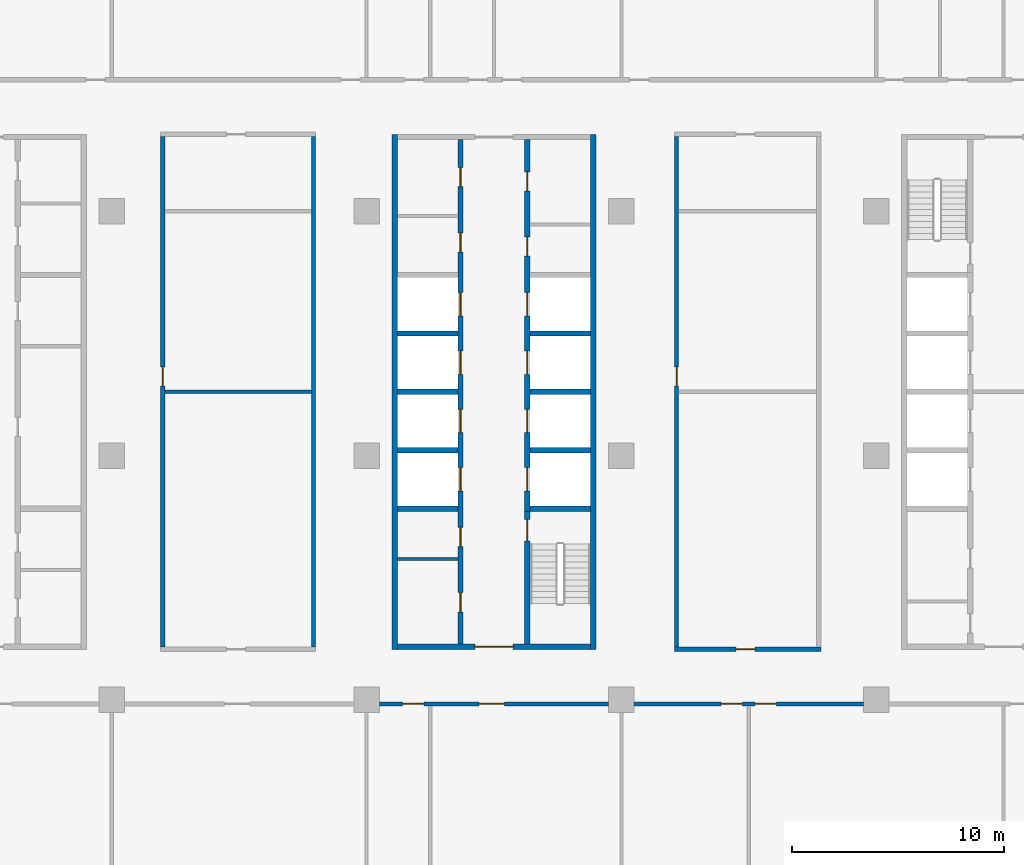
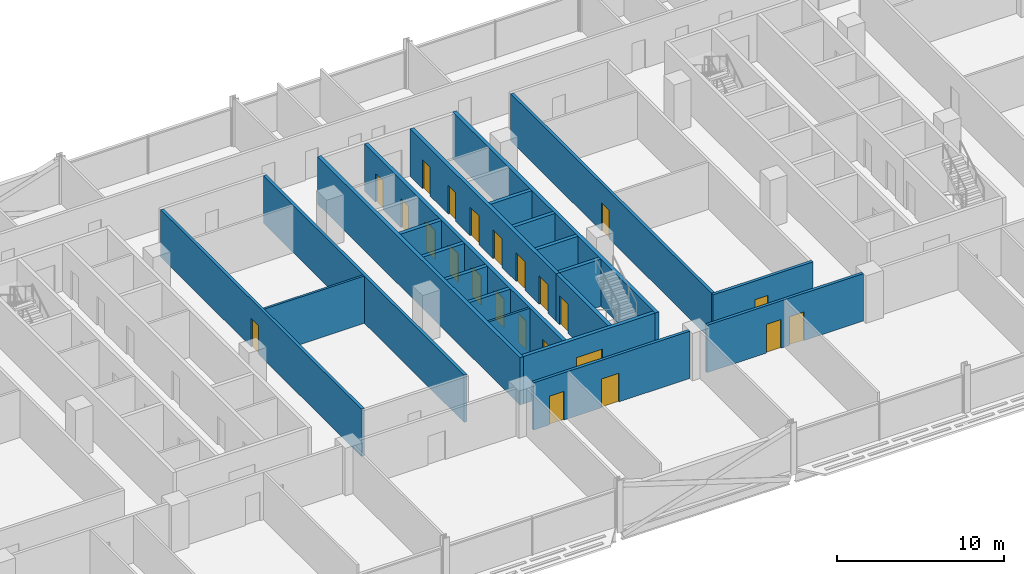
# One storey, part 12 of 27: 23 doors, 22 walls, 23 openings.
"""IFC4 building model written with IfcOpenShell, lengths in metres."""

from ifc_helpers import new_model, si_unit, direction, frame, frame_2d, origin, place, context, subcontext, project, spatial, rectangle, extrude, material, layer, layer_set, type_object, element, fill, save


model = new_model("IFC4")

# Units and contexts
model_context = context("Model", 3, precision=1e-05, world=origin(), true_north=direction((0.0, 1.0)))
body_context = subcontext(model_context, "Body", "Model", "MODEL_VIEW")
ifc_project = project(units=[si_unit("LENGTHUNIT", "METRE"), si_unit("AREAUNIT", "SQUARE_METRE"), si_unit("VOLUMEUNIT", "CUBIC_METRE"), si_unit("PLANEANGLEUNIT", "RADIAN"), si_unit("MASSUNIT", "GRAM", prefix="KILO")], contexts=[model_context])

# Site, building, storey
site_placement = place(None, origin())
site = spatial("IfcSite", under=ifc_project, at=site_placement, CompositionType="ELEMENT")
building_placement = place(site_placement, origin())
building = spatial("IfcBuilding", under=site, at=building_placement, Name="Mahtab Terrace Research Tower", CompositionType="ELEMENT")
storey_placement = place(building_placement, frame((0.0, 0.0, 170.60009765625)))
storey = spatial("IfcBuildingStorey", under=building, at=storey_placement, Name="L40", CompositionType="ELEMENT", Elevation=170.60009765625)

# Walls
ifc_material_1 = material(Name="Gypsum board partition")
ifc_layer_1 = layer(ifc_material_1, 0.14990234375)
ifc_layer_set_1 = layer_set([ifc_layer_1], Name="Core partition 150")
wall_type_1 = type_object("IfcWallType", Name="Core partition 150", PredefinedType="PARTITIONING", material=ifc_layer_set_1)
wall_1_placement = place(storey_placement, frame((-4.550048828125, -4.875, 0.0), z_axis=(0.0, 0.0, 1.0), x_axis=(1.0, 0.0, 0.0)))
element("IfcWall", 1, at=wall_1_placement, inside=storey, type_object=wall_type_1, Name="Core wall B pWS-788", PredefinedType="PARTITIONING", context=body_context, shape_type="SweptSolid", body=[
    extrude(rectangle(XDim=2.85009765625, YDim=0.14990234375, at=frame_2d((1.425048828125, 0.0))), origin(), (0.0, 0.0, 1.0), 3.4599609375),
])
ifc_material_2 = material(Name="Concrete C70/85", Category="concrete")
ifc_layer_2 = layer(ifc_material_2, 0.25)
ifc_layer_set_2 = layer_set([ifc_layer_2], Name="Core wall 250")
wall_type_2 = type_object("IfcWallType", Name="Core wall 250", PredefinedType="SOLIDWALL", material=ifc_layer_set_2)
for number, where, z_axis, x_axis, name in (
    (2, (-4.675048828125, 15.125, 0.0), (0.0, 0.0, 1.0), (0.0, -1.0, 0.0), "Core wall B outerW"),
    (3, (4.675048828125, -9.125, 0.0), (0.0, 0.0, 1.0), (0.0, 1.0, 0.0), "Core wall B outerE"),
):
    element("IfcWall", number, at=place(storey_placement, frame(where, z_axis=z_axis, x_axis=x_axis)), inside=storey, type_object=wall_type_2, Name=name, PredefinedType="SOLIDWALL", context=body_context, shape_type="SweptSolid", body=[
        extrude(rectangle(XDim=24.25, YDim=0.25, at=frame_2d((12.125, 0.0))), origin(), (0.0, 0.0, 1.0), 3.4599609375),
    ])

# Wall, opening, door
wall_2_placement = place(storey_placement, frame((4.550048828125, -9.0, 0.0), z_axis=(0.0, 0.0, 1.0), x_axis=(-1.0, 0.0, 0.0)))
wall_2 = element("IfcWall", 4, at=wall_2_placement, inside=storey, type_object=wall_type_2, Name="Core wall B endS", PredefinedType="SOLIDWALL", context=body_context, shape_type="SweptSolid", body=[
    extrude(rectangle(XDim=9.10009765625, YDim=0.25, at=frame_2d((4.550048828125, 0.0))), origin(), (0.0, 0.0, 1.0), 3.4599609375),
])
opening_1_placement = place(wall_2_placement, frame((3.64990234375, 0.0, 0.0)))
opening_1 = element("IfcOpeningElement", 5, at=opening_1_placement, cuts=wall_2, Name="Opening B-S1", PredefinedType="OPENING", context=body_context, shape_type="SweptSolid", body=[
    extrude(rectangle(XDim=1.800048828125, YDim=2.10009765625, at=frame_2d((0.89990234375, 1.050048828125))), frame((0.0, 0.135009765625, 0.0), z_axis=(0.0, -1.0, 0.0), x_axis=(1.0, 0.0, 0.0)), (0.0, 0.0, 1.0), 0.27001953125),
])
ifc_material_3 = material(Name="Steel fire door", Category="steel")
door_type_1 = type_object("IfcDoorType", Name="Lobby double door 1800x2100 1 HR", OperationType="DOUBLE_DOOR_SINGLE_SWING", PredefinedType="DOOR", material=ifc_material_3)
door_1_placement = place(opening_1_placement, origin())
door_1 = element("IfcDoor", 6, at=door_1_placement, inside=storey, type_object=door_type_1, Name="Core entrance door B S", OperationType="DOUBLE_DOOR_SINGLE_SWING", OverallHeight=2.10009765625, OverallWidth=1.800048828125, PredefinedType="DOOR", context=body_context, shape_type="SweptSolid", body=[
    extrude(rectangle(XDim=1.800048828125, YDim=2.10009765625, at=frame_2d((0.89990234375, 1.050048828125))), frame((0.0, 0.02490234375, 0.0), z_axis=(0.0, -1.0, 0.0), x_axis=(1.0, 0.0, 0.0)), (0.0, 0.0, 1.0), 0.050048828125),
])
fill(opening_1, door_1)

# Wall, openings, doors
wall_3_placement = place(storey_placement, frame((-1.574951171875, -8.875, 0.0), z_axis=(0.0, 0.0, 1.0), x_axis=(0.0, 1.0, 0.0)))
wall_3 = element("IfcWall", 7, at=wall_3_placement, inside=storey, type_object=wall_type_2, Name="Core wall B innerWSLN", PredefinedType="SOLIDWALL", context=body_context, shape_type="SweptSolid", body=[
    extrude(rectangle(XDim=23.75, YDim=0.25, at=frame_2d((11.875, 0.0))), origin(), (0.0, 0.0, 1.0), 3.4599609375),
])
opening_2_placement = place(wall_3_placement, frame((7.199951171875, 0.0, 0.0)))
opening_2 = element("IfcOpeningElement", 8, at=opening_2_placement, cuts=wall_3, Name="Opening LD09-L40", PredefinedType="OPENING", context=body_context, shape_type="SweptSolid", body=[
    extrude(rectangle(XDim=1.10009765625, YDim=2.10009765625, at=frame_2d((0.550048828125, 1.050048828125))), frame((0.0, 0.135009765625, 0.0), z_axis=(0.0, -1.0, 0.0), x_axis=(1.0, 0.0, 0.0)), (0.0, 0.0, 1.0), 0.27001953125),
])
opening_3_placement = place(wall_3_placement, frame((9.949951171875, 0.0, 0.0)))
opening_3 = element("IfcOpeningElement", 9, at=opening_3_placement, cuts=wall_3, Name="Opening LD10-L40", PredefinedType="OPENING", context=body_context, shape_type="SweptSolid", body=[
    extrude(rectangle(XDim=1.10009765625, YDim=2.10009765625, at=frame_2d((0.550048828125, 1.050048828125))), frame((0.0, 0.135009765625, 0.0), z_axis=(0.0, -1.0, 0.0), x_axis=(1.0, 0.0, 0.0)), (0.0, 0.0, 1.0), 0.27001953125),
])
opening_4_placement = place(wall_3_placement, frame((12.699951171875, 0.0, 0.0)))
opening_4 = element("IfcOpeningElement", 10, at=opening_4_placement, cuts=wall_3, Name="Opening LD11-L40", PredefinedType="OPENING", context=body_context, shape_type="SweptSolid", body=[
    extrude(rectangle(XDim=1.10009765625, YDim=2.10009765625, at=frame_2d((0.550048828125, 1.050048828125))), frame((0.0, 0.135009765625, 0.0), z_axis=(0.0, -1.0, 0.0), x_axis=(1.0, 0.0, 0.0)), (0.0, 0.0, 1.0), 0.27001953125),
])
opening_5_placement = place(wall_3_placement, frame((15.449951171875, 0.0, 0.0)))
opening_5 = element("IfcOpeningElement", 11, at=opening_5_placement, cuts=wall_3, Name="Opening LD12-L40", PredefinedType="OPENING", context=body_context, shape_type="SweptSolid", body=[
    extrude(rectangle(XDim=1.10009765625, YDim=2.10009765625, at=frame_2d((0.550048828125, 1.050048828125))), frame((0.0, 0.135009765625, 0.0), z_axis=(0.0, -1.0, 0.0), x_axis=(1.0, 0.0, 0.0)), (0.0, 0.0, 1.0), 0.27001953125),
])
opening_6_placement = place(wall_3_placement, frame((1.512451171875, 0.0, 0.0)))
opening_6 = element("IfcOpeningElement", 12, at=opening_6_placement, cuts=wall_3, Name="Opening B-R1", PredefinedType="OPENING", context=body_context, shape_type="SweptSolid", body=[
    extrude(rectangle(XDim=0.89990234375, YDim=2.10009765625, at=frame_2d((0.449951171875, 1.050048828125))), frame((0.0, 0.135009765625, 0.0), z_axis=(0.0, -1.0, 0.0), x_axis=(1.0, 0.0, 0.0)), (0.0, 0.0, 1.0), 0.27001953125),
])
opening_7_placement = place(wall_3_placement, frame((4.58740234375, 0.0, 0.0)))
opening_7 = element("IfcOpeningElement", 13, at=opening_7_placement, cuts=wall_3, Name="Opening B-R2", PredefinedType="OPENING", context=body_context, shape_type="SweptSolid", body=[
    extrude(rectangle(XDim=0.89990234375, YDim=2.10009765625, at=frame_2d((0.449951171875, 1.050048828125))), frame((0.0, 0.135009765625, 0.0), z_axis=(0.0, -1.0, 0.0), x_axis=(1.0, 0.0, 0.0)), (0.0, 0.0, 1.0), 0.27001953125),
])
opening_8_placement = place(wall_3_placement, frame((18.46240234375, 0.0, 0.0)))
opening_8 = element("IfcOpeningElement", 14, at=opening_8_placement, cuts=wall_3, Name="Opening B-R3", PredefinedType="OPENING", context=body_context, shape_type="SweptSolid", body=[
    extrude(rectangle(XDim=0.89990234375, YDim=2.10009765625, at=frame_2d((0.449951171875, 1.050048828125))), frame((0.0, 0.135009765625, 0.0), z_axis=(0.0, -1.0, 0.0), x_axis=(1.0, 0.0, 0.0)), (0.0, 0.0, 1.0), 0.27001953125),
])
opening_9_placement = place(wall_3_placement, frame((21.53759765625, 0.0, 0.0)))
opening_9 = element("IfcOpeningElement", 15, at=opening_9_placement, cuts=wall_3, Name="Opening B-R4", PredefinedType="OPENING", context=body_context, shape_type="SweptSolid", body=[
    extrude(rectangle(XDim=0.89990234375, YDim=2.10009765625, at=frame_2d((0.449951171875, 1.050048828125))), frame((0.0, 0.135009765625, 0.0), z_axis=(0.0, -1.0, 0.0), x_axis=(1.0, 0.0, 0.0)), (0.0, 0.0, 1.0), 0.27001953125),
])
ifc_material_4 = material(Name="Stainless steel AISI 304", Category="steel")
door_type_2 = type_object("IfcDoorType", Name="Landing door 1100x2100", OperationType="DOUBLE_DOOR_SLIDING", PredefinedType="DOOR", material=ifc_material_4)
door_2_placement = place(opening_2_placement, origin())
door_2 = element("IfcDoor", 16, at=door_2_placement, inside=storey, type_object=door_type_2, Name="Landing door HR1 L40", OperationType="DOUBLE_DOOR_SLIDING", OverallHeight=2.10009765625, OverallWidth=1.10009765625, PredefinedType="DOOR", context=body_context, shape_type="SweptSolid", body=[
    extrude(rectangle(XDim=1.10009765625, YDim=2.10009765625, at=frame_2d((0.550048828125, 1.050048828125))), frame((0.0, 0.02490234375, 0.0), z_axis=(0.0, -1.0, 0.0), x_axis=(1.0, 0.0, 0.0)), (0.0, 0.0, 1.0), 0.050048828125),
])
fill(opening_2, door_2)
door_3_placement = place(opening_3_placement, origin())
door_3 = element("IfcDoor", 17, at=door_3_placement, inside=storey, type_object=door_type_2, Name="Landing door HR2 L40", OperationType="DOUBLE_DOOR_SLIDING", OverallHeight=2.10009765625, OverallWidth=1.10009765625, PredefinedType="DOOR", context=body_context, shape_type="SweptSolid", body=[
    extrude(rectangle(XDim=1.10009765625, YDim=2.10009765625, at=frame_2d((0.550048828125, 1.050048828125))), frame((0.0, 0.02490234375, 0.0), z_axis=(0.0, -1.0, 0.0), x_axis=(1.0, 0.0, 0.0)), (0.0, 0.0, 1.0), 0.050048828125),
])
fill(opening_3, door_3)
door_4_placement = place(opening_4_placement, origin())
door_4 = element("IfcDoor", 18, at=door_4_placement, inside=storey, type_object=door_type_2, Name="Landing door HR3 L40", OperationType="DOUBLE_DOOR_SLIDING", OverallHeight=2.10009765625, OverallWidth=1.10009765625, PredefinedType="DOOR", context=body_context, shape_type="SweptSolid", body=[
    extrude(rectangle(XDim=1.10009765625, YDim=2.10009765625, at=frame_2d((0.550048828125, 1.050048828125))), frame((0.0, 0.02490234375, 0.0), z_axis=(0.0, -1.0, 0.0), x_axis=(1.0, 0.0, 0.0)), (0.0, 0.0, 1.0), 0.050048828125),
])
fill(opening_4, door_4)
door_5_placement = place(opening_5_placement, origin())
door_5 = element("IfcDoor", 19, at=door_5_placement, inside=storey, type_object=door_type_2, Name="Landing door HR4 L40", OperationType="DOUBLE_DOOR_SLIDING", OverallHeight=2.10009765625, OverallWidth=1.10009765625, PredefinedType="DOOR", context=body_context, shape_type="SweptSolid", body=[
    extrude(rectangle(XDim=1.10009765625, YDim=2.10009765625, at=frame_2d((0.550048828125, 1.050048828125))), frame((0.0, 0.02490234375, 0.0), z_axis=(0.0, -1.0, 0.0), x_axis=(1.0, 0.0, 0.0)), (0.0, 0.0, 1.0), 0.050048828125),
])
fill(opening_5, door_5)
door_type_3 = type_object("IfcDoorType", Name="Room door 900x2100 1 HR", OperationType="NOTDEFINED", PredefinedType="DOOR", material=ifc_material_3)
door_6_placement = place(opening_6_placement, origin())
door_6 = element("IfcDoor", 20, at=door_6_placement, inside=storey, type_object=door_type_3, Name="IT equipment room door", OperationType="SINGLE_SWING_LEFT", OverallHeight=2.10009765625, OverallWidth=0.89990234375, PredefinedType="DOOR", context=body_context, shape_type="SweptSolid", body=[
    extrude(rectangle(XDim=0.89990234375, YDim=2.10009765625, at=frame_2d((0.449951171875, 1.050048828125))), frame((0.0, 0.02490234375, 0.0), z_axis=(0.0, -1.0, 0.0), x_axis=(1.0, 0.0, 0.0)), (0.0, 0.0, 1.0), 0.050048828125),
])
fill(opening_6, door_6)
door_7_placement = place(opening_7_placement, origin())
door_7 = element("IfcDoor", 21, at=door_7_placement, inside=storey, type_object=door_type_3, Name="Electrical riser room door", OperationType="SINGLE_SWING_RIGHT", OverallHeight=2.10009765625, OverallWidth=0.89990234375, PredefinedType="DOOR", context=body_context, shape_type="SweptSolid", body=[
    extrude(rectangle(XDim=0.89990234375, YDim=2.10009765625, at=frame_2d((0.449951171875, 1.050048828125))), frame((0.0, 0.02490234375, 0.0), z_axis=(0.0, -1.0, 0.0), x_axis=(1.0, 0.0, 0.0)), (0.0, 0.0, 1.0), 0.050048828125),
])
fill(opening_7, door_7)
door_8_placement = place(opening_8_placement, origin())
door_8 = element("IfcDoor", 22, at=door_8_placement, inside=storey, type_object=door_type_3, Name="Mechanical riser room door", OperationType="SINGLE_SWING_LEFT", OverallHeight=2.10009765625, OverallWidth=0.89990234375, PredefinedType="DOOR", context=body_context, shape_type="SweptSolid", body=[
    extrude(rectangle(XDim=0.89990234375, YDim=2.10009765625, at=frame_2d((0.449951171875, 1.050048828125))), frame((0.0, 0.02490234375, 0.0), z_axis=(0.0, -1.0, 0.0), x_axis=(1.0, 0.0, 0.0)), (0.0, 0.0, 1.0), 0.050048828125),
])
fill(opening_8, door_8)
door_9_placement = place(opening_9_placement, origin())
door_9 = element("IfcDoor", 23, at=door_9_placement, inside=storey, type_object=door_type_3, Name="Chemical store door", OperationType="SINGLE_SWING_RIGHT", OverallHeight=2.10009765625, OverallWidth=0.89990234375, PredefinedType="DOOR", context=body_context, shape_type="SweptSolid", body=[
    extrude(rectangle(XDim=0.89990234375, YDim=2.10009765625, at=frame_2d((0.449951171875, 1.050048828125))), frame((0.0, 0.02490234375, 0.0), z_axis=(0.0, -1.0, 0.0), x_axis=(1.0, 0.0, 0.0)), (0.0, 0.0, 1.0), 0.050048828125),
])
fill(opening_9, door_9)

# Wall, opening, door
wall_4_placement = place(storey_placement, frame((1.574951171875, -8.875, 0.0), z_axis=(0.0, 0.0, 1.0), x_axis=(0.0, 1.0, 0.0)))
wall_4 = element("IfcWall", 24, at=wall_4_placement, inside=storey, type_object=wall_type_2, Name="Core wall B innerES", PredefinedType="SOLIDWALL", context=body_context, shape_type="SweptSolid", body=[
    extrude(rectangle(XDim=6.25, YDim=0.25, at=frame_2d((3.125, 0.0))), origin(), (0.0, 0.0, 1.0), 3.4599609375),
])
opening_10_placement = place(wall_4_placement, frame((4.85009765625, 0.0, 0.0)))
opening_10 = element("IfcOpeningElement", 25, at=opening_10_placement, cuts=wall_4, Name="Opening B-ST2", PredefinedType="OPENING", context=body_context, shape_type="SweptSolid", body=[
    extrude(rectangle(XDim=1.0, YDim=2.10009765625, at=frame_2d((0.5, 1.050048828125))), frame((0.0, 0.135009765625, 0.0), z_axis=(0.0, -1.0, 0.0), x_axis=(1.0, 0.0, 0.0)), (0.0, 0.0, 1.0), 0.27001953125),
])
door_type_4 = type_object("IfcDoorType", Name="Stair door 1000x2100 1.5 HR", OperationType="NOTDEFINED", PredefinedType="DOOR", material=ifc_material_3)
door_10_placement = place(opening_10_placement, origin())
door_10 = element("IfcDoor", 26, at=door_10_placement, inside=storey, type_object=door_type_4, Name="Stair door ST2 L40", OperationType="SINGLE_SWING_LEFT", OverallHeight=2.10009765625, OverallWidth=1.0, PredefinedType="DOOR", context=body_context, shape_type="SweptSolid", body=[
    extrude(rectangle(XDim=1.0, YDim=2.10009765625, at=frame_2d((0.5, 1.050048828125))), frame((0.0, 0.02490234375, 0.0), z_axis=(0.0, -1.0, 0.0), x_axis=(1.0, 0.0, 0.0)), (0.0, 0.0, 1.0), 0.050048828125),
])
fill(opening_10, door_10)

# Wall, openings, doors
wall_5_placement = place(storey_placement, frame((1.574951171875, 14.875, 0.0), z_axis=(0.0, 0.0, 1.0), x_axis=(0.0, -1.0, 0.0)))
wall_5 = element("IfcWall", 27, at=wall_5_placement, inside=storey, type_object=wall_type_2, Name="Core wall B innerELN", PredefinedType="SOLIDWALL", context=body_context, shape_type="SweptSolid", body=[
    extrude(rectangle(XDim=17.5, YDim=0.25, at=frame_2d((8.75, 0.0))), origin(), (0.0, 0.0, 1.0), 3.4599609375),
])
opening_11_placement = place(wall_5_placement, frame((15.449951171875, 0.0, 0.0)))
opening_11 = element("IfcOpeningElement", 28, at=opening_11_placement, cuts=wall_5, Name="Opening LD13-L40", PredefinedType="OPENING", context=body_context, shape_type="SweptSolid", body=[
    extrude(rectangle(XDim=1.10009765625, YDim=2.10009765625, at=frame_2d((0.550048828125, 1.050048828125))), frame((0.0, 0.135009765625, 0.0), z_axis=(0.0, -1.0, 0.0), x_axis=(1.0, 0.0, 0.0)), (0.0, 0.0, 1.0), 0.27001953125),
])
opening_12_placement = place(wall_5_placement, frame((12.699951171875, 0.0, 0.0)))
opening_12 = element("IfcOpeningElement", 29, at=opening_12_placement, cuts=wall_5, Name="Opening LD14-L40", PredefinedType="OPENING", context=body_context, shape_type="SweptSolid", body=[
    extrude(rectangle(XDim=1.10009765625, YDim=2.10009765625, at=frame_2d((0.550048828125, 1.050048828125))), frame((0.0, 0.135009765625, 0.0), z_axis=(0.0, -1.0, 0.0), x_axis=(1.0, 0.0, 0.0)), (0.0, 0.0, 1.0), 0.27001953125),
])
opening_13_placement = place(wall_5_placement, frame((9.949951171875, 0.0, 0.0)))
opening_13 = element("IfcOpeningElement", 30, at=opening_13_placement, cuts=wall_5, Name="Opening LD15-L40", PredefinedType="OPENING", context=body_context, shape_type="SweptSolid", body=[
    extrude(rectangle(XDim=1.10009765625, YDim=2.10009765625, at=frame_2d((0.550048828125, 1.050048828125))), frame((0.0, 0.135009765625, 0.0), z_axis=(0.0, -1.0, 0.0), x_axis=(1.0, 0.0, 0.0)), (0.0, 0.0, 1.0), 0.27001953125),
])
opening_14_placement = place(wall_5_placement, frame((7.199951171875, 0.0, 0.0)))
opening_14 = element("IfcOpeningElement", 31, at=opening_14_placement, cuts=wall_5, Name="Opening LD16-L40", PredefinedType="OPENING", context=body_context, shape_type="SweptSolid", body=[
    extrude(rectangle(XDim=1.10009765625, YDim=2.10009765625, at=frame_2d((0.550048828125, 1.050048828125))), frame((0.0, 0.135009765625, 0.0), z_axis=(0.0, -1.0, 0.0), x_axis=(1.0, 0.0, 0.0)), (0.0, 0.0, 1.0), 0.27001953125),
])
opening_15_placement = place(wall_5_placement, frame((4.58740234375, 0.0, 0.0)))
opening_15 = element("IfcOpeningElement", 32, at=opening_15_placement, cuts=wall_5, Name="Opening B-R5", PredefinedType="OPENING", context=body_context, shape_type="SweptSolid", body=[
    extrude(rectangle(XDim=0.89990234375, YDim=2.10009765625, at=frame_2d((0.449951171875, 1.050048828125))), frame((0.0, 0.135009765625, 0.0), z_axis=(0.0, -1.0, 0.0), x_axis=(1.0, 0.0, 0.0)), (0.0, 0.0, 1.0), 0.27001953125),
])
opening_16_placement = place(wall_5_placement, frame((1.512451171875, 0.0, 0.0)))
opening_16 = element("IfcOpeningElement", 33, at=opening_16_placement, cuts=wall_5, Name="Opening B-R6", PredefinedType="OPENING", context=body_context, shape_type="SweptSolid", body=[
    extrude(rectangle(XDim=0.89990234375, YDim=2.10009765625, at=frame_2d((0.449951171875, 1.050048828125))), frame((0.0, 0.135009765625, 0.0), z_axis=(0.0, -1.0, 0.0), x_axis=(1.0, 0.0, 0.0)), (0.0, 0.0, 1.0), 0.27001953125),
])
door_11_placement = place(opening_11_placement, origin())
door_11 = element("IfcDoor", 34, at=door_11_placement, inside=storey, type_object=door_type_2, Name="Landing door HR5 L40", OperationType="DOUBLE_DOOR_SLIDING", OverallHeight=2.10009765625, OverallWidth=1.10009765625, PredefinedType="DOOR", context=body_context, shape_type="SweptSolid", body=[
    extrude(rectangle(XDim=1.10009765625, YDim=2.10009765625, at=frame_2d((0.550048828125, 1.050048828125))), frame((0.0, 0.02490234375, 0.0), z_axis=(0.0, -1.0, 0.0), x_axis=(1.0, 0.0, 0.0)), (0.0, 0.0, 1.0), 0.050048828125),
])
fill(opening_11, door_11)
door_12_placement = place(opening_12_placement, origin())
door_12 = element("IfcDoor", 35, at=door_12_placement, inside=storey, type_object=door_type_2, Name="Landing door HR6 L40", OperationType="DOUBLE_DOOR_SLIDING", OverallHeight=2.10009765625, OverallWidth=1.10009765625, PredefinedType="DOOR", context=body_context, shape_type="SweptSolid", body=[
    extrude(rectangle(XDim=1.10009765625, YDim=2.10009765625, at=frame_2d((0.550048828125, 1.050048828125))), frame((0.0, 0.02490234375, 0.0), z_axis=(0.0, -1.0, 0.0), x_axis=(1.0, 0.0, 0.0)), (0.0, 0.0, 1.0), 0.050048828125),
])
fill(opening_12, door_12)
door_13_placement = place(opening_13_placement, origin())
door_13 = element("IfcDoor", 36, at=door_13_placement, inside=storey, type_object=door_type_2, Name="Landing door HR7 L40", OperationType="DOUBLE_DOOR_SLIDING", OverallHeight=2.10009765625, OverallWidth=1.10009765625, PredefinedType="DOOR", context=body_context, shape_type="SweptSolid", body=[
    extrude(rectangle(XDim=1.10009765625, YDim=2.10009765625, at=frame_2d((0.550048828125, 1.050048828125))), frame((0.0, 0.02490234375, 0.0), z_axis=(0.0, -1.0, 0.0), x_axis=(1.0, 0.0, 0.0)), (0.0, 0.0, 1.0), 0.050048828125),
])
fill(opening_13, door_13)
door_14_placement = place(opening_14_placement, origin())
door_14 = element("IfcDoor", 37, at=door_14_placement, inside=storey, type_object=door_type_2, Name="Landing door HR8 L40", OperationType="DOUBLE_DOOR_SLIDING", OverallHeight=2.10009765625, OverallWidth=1.10009765625, PredefinedType="DOOR", context=body_context, shape_type="SweptSolid", body=[
    extrude(rectangle(XDim=1.10009765625, YDim=2.10009765625, at=frame_2d((0.550048828125, 1.050048828125))), frame((0.0, 0.02490234375, 0.0), z_axis=(0.0, -1.0, 0.0), x_axis=(1.0, 0.0, 0.0)), (0.0, 0.0, 1.0), 0.050048828125),
])
fill(opening_14, door_14)
door_15_placement = place(opening_15_placement, origin())
door_15 = element("IfcDoor", 38, at=door_15_placement, inside=storey, type_object=door_type_3, Name="Accessible WC door", OperationType="SINGLE_SWING_LEFT", OverallHeight=2.10009765625, OverallWidth=0.89990234375, PredefinedType="DOOR", context=body_context, shape_type="SweptSolid", body=[
    extrude(rectangle(XDim=0.89990234375, YDim=2.10009765625, at=frame_2d((0.449951171875, 1.050048828125))), frame((0.0, 0.02490234375, 0.0), z_axis=(0.0, -1.0, 0.0), x_axis=(1.0, 0.0, 0.0)), (0.0, 0.0, 1.0), 0.050048828125),
])
fill(opening_15, door_15)
door_16_placement = place(opening_16_placement, origin())
door_16 = element("IfcDoor", 39, at=door_16_placement, inside=storey, type_object=door_type_3, Name="WC block door", OperationType="SINGLE_SWING_RIGHT", OverallHeight=2.10009765625, OverallWidth=0.89990234375, PredefinedType="DOOR", context=body_context, shape_type="SweptSolid", body=[
    extrude(rectangle(XDim=0.89990234375, YDim=2.10009765625, at=frame_2d((0.449951171875, 1.050048828125))), frame((0.0, 0.02490234375, 0.0), z_axis=(0.0, -1.0, 0.0), x_axis=(1.0, 0.0, 0.0)), (0.0, 0.0, 1.0), 0.050048828125),
])
fill(opening_16, door_16)

# Walls
for number, where, z_axis, x_axis, name in (
    (40, (-4.550048828125, -2.5, 0.0), (0.0, 0.0, 1.0), (1.0, 0.0, 0.0), "Core wall B divW0"),
    (41, (-4.550048828125, 0.25, 0.0), (0.0, 0.0, 1.0), (1.0, 0.0, 0.0), "Core wall B divW1"),
    (42, (-4.550048828125, 3.0, 0.0), (0.0, 0.0, 1.0), (1.0, 0.0, 0.0), "Core wall B divW2"),
    (43, (-4.550048828125, 5.75, 0.0), (0.0, 0.0, 1.0), (1.0, 0.0, 0.0), "Core wall B divW3"),
    (44, (1.699951171875, -2.5, 0.0), (0.0, 0.0, 1.0), (1.0, 0.0, 0.0), "Core wall B divE0"),
    (45, (1.699951171875, 0.25, 0.0), (0.0, 0.0, 1.0), (1.0, 0.0, 0.0), "Core wall B divE1"),
    (46, (1.699951171875, 3.0, 0.0), (0.0, 0.0, 1.0), (1.0, 0.0, 0.0), "Core wall B divE2"),
    (47, (1.699951171875, 5.75, 0.0), (0.0, 0.0, 1.0), (1.0, 0.0, 0.0), "Core wall B divE3"),
):
    element("IfcWall", number, at=place(storey_placement, frame(where, z_axis=z_axis, x_axis=x_axis)), inside=storey, type_object=wall_type_2, Name=name, PredefinedType="SOLIDWALL", context=body_context, shape_type="SweptSolid", body=[
        extrude(rectangle(XDim=2.85009765625, YDim=0.25, at=frame_2d((1.425048828125, 0.0))), origin(), (0.0, 0.0, 1.0), 3.4599609375),
    ])

# Wall, openings, doors
ifc_material_5 = material(Name="Gypsum board corridor wall on steel studs", Category="steel")
ifc_layer_3 = layer(ifc_material_5, 0.199951171875)
ifc_layer_set_3 = layer_set([ifc_layer_3], Name="WALL CORRIDOR 200")
wall_type_3 = type_object("IfcWallType", Name="WALL CORRIDOR 200", PredefinedType="PARTITIONING", material=ifc_layer_set_3)
wall_6_placement = place(storey_placement, frame((-5.39990234375, -11.699951171875, 0.0), z_axis=(0.0, 0.0, 1.0), x_axis=(1.0, 0.0, 0.0)))
wall_6 = element("IfcWall", 48, at=wall_6_placement, inside=storey, type_object=wall_type_3, Name="L40-W005", PredefinedType="PARTITIONING", context=body_context, shape_type="SweptSolid", body=[
    extrude(rectangle(XDim=10.7998046875, YDim=0.199951171875, at=frame_2d((5.39990234375, 0.0))), origin(), (0.0, 0.0, 1.0), 3.4599609375),
])
opening_17_placement = place(wall_6_placement, frame((1.10009765625, 0.0, 0.0)))
opening_17 = element("IfcOpeningElement", 49, at=opening_17_placement, cuts=wall_6, Name="Opening L40-106", PredefinedType="OPENING", context=body_context, shape_type="SweptSolid", body=[
    extrude(rectangle(XDim=1.0, YDim=2.10009765625, at=frame_2d((0.5, 1.050048828125))), frame((0.0, 0.10986328125, 0.0), z_axis=(0.0, -1.0, 0.0), x_axis=(1.0, 0.0, 0.0)), (0.0, 0.0, 1.0), 0.219970703125),
])
opening_18_placement = place(wall_6_placement, frame((4.699951171875, 0.0, 0.0)))
opening_18 = element("IfcOpeningElement", 50, at=opening_18_placement, cuts=wall_6, Name="Opening L40-107", PredefinedType="OPENING", context=body_context, shape_type="SweptSolid", body=[
    extrude(rectangle(XDim=1.199951171875, YDim=2.10009765625, at=frame_2d((0.60009765625, 1.050048828125))), frame((0.0, 0.10986328125, 0.0), z_axis=(0.0, -1.0, 0.0), x_axis=(1.0, 0.0, 0.0)), (0.0, 0.0, 1.0), 0.219970703125),
])
ifc_material_6 = material(Name="Timber door leaf in steel frame", Category="steel")
door_type_5 = type_object("IfcDoorType", Name="DOOR 1000X2100 FD30S", OperationType="SINGLE_SWING_LEFT", PredefinedType="DOOR", material=ifc_material_6)
door_17_placement = place(opening_17_placement, origin())
door_17 = element("IfcDoor", 51, at=door_17_placement, inside=storey, type_object=door_type_5, Name="Door L40-106", OperationType="SINGLE_SWING_RIGHT", OverallHeight=2.10009765625, OverallWidth=1.0, PredefinedType="DOOR", context=body_context, shape_type="SweptSolid", body=[
    extrude(rectangle(XDim=1.0, YDim=2.10009765625, at=frame_2d((0.5, 1.050048828125))), frame((0.0, 0.02490234375, 0.0), z_axis=(0.0, -1.0, 0.0), x_axis=(1.0, 0.0, 0.0)), (0.0, 0.0, 1.0), 0.050048828125),
])
fill(opening_17, door_17)
door_type_6 = type_object("IfcDoorType", Name="DOOR 1200X2100 FD30S", OperationType="SINGLE_SWING_LEFT", PredefinedType="DOOR", material=ifc_material_6)
door_18_placement = place(opening_18_placement, origin())
door_18 = element("IfcDoor", 52, at=door_18_placement, inside=storey, type_object=door_type_6, Name="Door L40-107", OperationType="SINGLE_SWING_RIGHT", OverallHeight=2.10009765625, OverallWidth=1.199951171875, PredefinedType="DOOR", context=body_context, shape_type="SweptSolid", body=[
    extrude(rectangle(XDim=1.199951171875, YDim=2.10009765625, at=frame_2d((0.60009765625, 1.050048828125))), frame((0.0, 0.02490234375, 0.0), z_axis=(0.0, -1.0, 0.0), x_axis=(1.0, 0.0, 0.0)), (0.0, 0.0, 1.0), 0.050048828125),
])
fill(opening_18, door_18)

wall_7_placement = place(storey_placement, frame((6.60009765625, -11.699951171875, 0.0), z_axis=(0.0, 0.0, 1.0), x_axis=(1.0, 0.0, 0.0)))
wall_7 = element("IfcWall", 53, at=wall_7_placement, inside=storey, type_object=wall_type_3, Name="L40-W006", PredefinedType="PARTITIONING", context=body_context, shape_type="SweptSolid", body=[
    extrude(rectangle(XDim=10.7998046875, YDim=0.199951171875, at=frame_2d((5.39990234375, 0.0))), origin(), (0.0, 0.0, 1.0), 3.4599609375),
])
opening_19_placement = place(wall_7_placement, frame((4.10009765625, 0.0, 0.0)))
opening_19 = element("IfcOpeningElement", 54, at=opening_19_placement, cuts=wall_7, Name="Opening L40-108", PredefinedType="OPENING", context=body_context, shape_type="SweptSolid", body=[
    extrude(rectangle(XDim=1.0, YDim=2.10009765625, at=frame_2d((0.5, 1.050048828125))), frame((0.0, 0.10986328125, 0.0), z_axis=(0.0, -1.0, 0.0), x_axis=(1.0, 0.0, 0.0)), (0.0, 0.0, 1.0), 0.219970703125),
])
opening_20_placement = place(wall_7_placement, frame((5.699951171875, 0.0, 0.0)))
opening_20 = element("IfcOpeningElement", 55, at=opening_20_placement, cuts=wall_7, Name="Opening L40-109", PredefinedType="OPENING", context=body_context, shape_type="SweptSolid", body=[
    extrude(rectangle(XDim=1.0, YDim=2.10009765625, at=frame_2d((0.5, 1.050048828125))), frame((0.0, 0.10986328125, 0.0), z_axis=(0.0, -1.0, 0.0), x_axis=(1.0, 0.0, 0.0)), (0.0, 0.0, 1.0), 0.219970703125),
])
door_19_placement = place(opening_19_placement, origin())
door_19 = element("IfcDoor", 56, at=door_19_placement, inside=storey, type_object=door_type_5, Name="Door L40-108", OperationType="SINGLE_SWING_RIGHT", OverallHeight=2.10009765625, OverallWidth=1.0, PredefinedType="DOOR", context=body_context, shape_type="SweptSolid", body=[
    extrude(rectangle(XDim=1.0, YDim=2.10009765625, at=frame_2d((0.5, 1.050048828125))), frame((0.0, 0.02490234375, 0.0), z_axis=(0.0, -1.0, 0.0), x_axis=(1.0, 0.0, 0.0)), (0.0, 0.0, 1.0), 0.050048828125),
])
fill(opening_19, door_19)
door_20_placement = place(opening_20_placement, origin())
door_20 = element("IfcDoor", 57, at=door_20_placement, inside=storey, type_object=door_type_5, Name="Door L40-109", OperationType="SINGLE_SWING_LEFT", OverallHeight=2.10009765625, OverallWidth=1.0, PredefinedType="DOOR", context=body_context, shape_type="SweptSolid", body=[
    extrude(rectangle(XDim=1.0, YDim=2.10009765625, at=frame_2d((0.5, 1.050048828125))), frame((0.0, 0.02490234375, 0.0), z_axis=(0.0, -1.0, 0.0), x_axis=(1.0, 0.0, 0.0)), (0.0, 0.0, 1.0), 0.050048828125),
])
fill(opening_20, door_20)

# Wall, opening, door
wall_8_placement = place(storey_placement, frame((8.5, -9.125, 0.0), z_axis=(0.0, 0.0, 1.0), x_axis=(1.0, 0.0, 0.0)))
wall_8 = element("IfcWall", 58, at=wall_8_placement, inside=storey, type_object=wall_type_3, Name="L40-W012", PredefinedType="PARTITIONING", context=body_context, shape_type="SweptSolid", body=[
    extrude(rectangle(XDim=6.89990234375, YDim=0.199951171875, at=frame_2d((3.449951171875, 0.0))), origin(), (0.0, 0.0, 1.0), 3.4599609375),
])
opening_21_placement = place(wall_8_placement, frame((2.89990234375, 0.0, 0.0)))
opening_21 = element("IfcOpeningElement", 59, at=opening_21_placement, cuts=wall_8, Name="Opening L40-116", PredefinedType="OPENING", context=body_context, shape_type="SweptSolid", body=[
    extrude(rectangle(XDim=0.89990234375, YDim=2.10009765625, at=frame_2d((0.449951171875, 1.050048828125))), frame((0.0, 0.10986328125, 0.0), z_axis=(0.0, -1.0, 0.0), x_axis=(1.0, 0.0, 0.0)), (0.0, 0.0, 1.0), 0.219970703125),
])
door_type_7 = type_object("IfcDoorType", Name="DOOR 0900X2100 FD30S", OperationType="SINGLE_SWING_LEFT", PredefinedType="DOOR", material=ifc_material_6)
door_21_placement = place(opening_21_placement, origin())
door_21 = element("IfcDoor", 60, at=door_21_placement, inside=storey, type_object=door_type_7, Name="Door L40-116", OperationType="SINGLE_SWING_LEFT", OverallHeight=2.10009765625, OverallWidth=0.89990234375, PredefinedType="DOOR", context=body_context, shape_type="SweptSolid", body=[
    extrude(rectangle(XDim=0.89990234375, YDim=2.10009765625, at=frame_2d((0.449951171875, 1.050048828125))), frame((0.0, 0.02490234375, 0.0), z_axis=(0.0, -1.0, 0.0), x_axis=(1.0, 0.0, 0.0)), (0.0, 0.0, 1.0), 0.050048828125),
])
fill(opening_21, door_21)

wall_9_placement = place(storey_placement, frame((-15.60009765625, -9.02490234375, 0.0), z_axis=(0.0, 0.0, 1.0), x_axis=(0.0, 1.0, 0.0)))
wall_9 = element("IfcWall", 61, at=wall_9_placement, inside=storey, type_object=wall_type_3, Name="L40-W039", PredefinedType="PARTITIONING", context=body_context, shape_type="SweptSolid", body=[
    extrude(rectangle(XDim=24.0498046875, YDim=0.199951171875, at=frame_2d((12.02490234375, 0.0))), origin(), (0.0, 0.0, 1.0), 3.4599609375),
])
opening_22_placement = place(wall_9_placement, frame((12.300048828125, 0.0, 0.0)))
opening_22 = element("IfcOpeningElement", 62, at=opening_22_placement, cuts=wall_9, Name="Opening L40-119", PredefinedType="OPENING", context=body_context, shape_type="SweptSolid", body=[
    extrude(rectangle(XDim=0.89990234375, YDim=2.10009765625, at=frame_2d((0.449951171875, 1.050048828125))), frame((0.0, 0.10986328125, 0.0), z_axis=(0.0, -1.0, 0.0), x_axis=(1.0, 0.0, 0.0)), (0.0, 0.0, 1.0), 0.219970703125),
])
door_22_placement = place(opening_22_placement, origin())
door_22 = element("IfcDoor", 63, at=door_22_placement, inside=storey, type_object=door_type_7, Name="Door L40-119", OperationType="SINGLE_SWING_LEFT", OverallHeight=2.10009765625, OverallWidth=0.89990234375, PredefinedType="DOOR", context=body_context, shape_type="SweptSolid", body=[
    extrude(rectangle(XDim=0.89990234375, YDim=2.10009765625, at=frame_2d((0.449951171875, 1.050048828125))), frame((0.0, 0.02490234375, 0.0), z_axis=(0.0, -1.0, 0.0), x_axis=(1.0, 0.0, 0.0)), (0.0, 0.0, 1.0), 0.050048828125),
])
fill(opening_22, door_22)

# Wall
wall_10_placement = place(storey_placement, frame((-8.5, -9.02490234375, 0.0), z_axis=(0.0, 0.0, 1.0), x_axis=(0.0, 1.0, 0.0)))
element("IfcWall", 64, at=wall_10_placement, inside=storey, type_object=wall_type_3, Name="L40-W040", PredefinedType="PARTITIONING", context=body_context, shape_type="SweptSolid", body=[
    extrude(rectangle(XDim=24.0498046875, YDim=0.199951171875, at=frame_2d((12.02490234375, 0.0))), origin(), (0.0, 0.0, 1.0), 3.4599609375),
])

# Wall, opening, door
wall_11_placement = place(storey_placement, frame((8.60009765625, -9.02490234375, 0.0), z_axis=(0.0, 0.0, 1.0), x_axis=(0.0, 1.0, 0.0)))
wall_11 = element("IfcWall", 65, at=wall_11_placement, inside=storey, type_object=wall_type_3, Name="L40-W048", PredefinedType="PARTITIONING", context=body_context, shape_type="SweptSolid", body=[
    extrude(rectangle(XDim=24.0498046875, YDim=0.199951171875, at=frame_2d((12.02490234375, 0.0))), origin(), (0.0, 0.0, 1.0), 3.4599609375),
])
opening_23_placement = place(wall_11_placement, frame((12.300048828125, 0.0, 0.0)))
opening_23 = element("IfcOpeningElement", 66, at=opening_23_placement, cuts=wall_11, Name="Opening L40-120", PredefinedType="OPENING", context=body_context, shape_type="SweptSolid", body=[
    extrude(rectangle(XDim=0.89990234375, YDim=2.10009765625, at=frame_2d((0.449951171875, 1.050048828125))), frame((0.0, 0.10986328125, 0.0), z_axis=(0.0, -1.0, 0.0), x_axis=(1.0, 0.0, 0.0)), (0.0, 0.0, 1.0), 0.219970703125),
])
door_23_placement = place(opening_23_placement, origin())
door_23 = element("IfcDoor", 67, at=door_23_placement, inside=storey, type_object=door_type_7, Name="Door L40-120", OperationType="SINGLE_SWING_LEFT", OverallHeight=2.10009765625, OverallWidth=0.89990234375, PredefinedType="DOOR", context=body_context, shape_type="SweptSolid", body=[
    extrude(rectangle(XDim=0.89990234375, YDim=2.10009765625, at=frame_2d((0.449951171875, 1.050048828125))), frame((0.0, 0.02490234375, 0.0), z_axis=(0.0, -1.0, 0.0), x_axis=(1.0, 0.0, 0.0)), (0.0, 0.0, 1.0), 0.050048828125),
])
fill(opening_23, door_23)

# Wall
ifc_material_7 = material(Name="Gypsum board partition on steel studs", Category="steel")
ifc_layer_4 = layer(ifc_material_7, 0.14990234375)
ifc_layer_set_4 = layer_set([ifc_layer_4], Name="WALL PARTITION 150")
wall_type_4 = type_object("IfcWallType", Name="WALL PARTITION 150", PredefinedType="PARTITIONING", material=ifc_layer_set_4)
wall_12_placement = place(storey_placement, frame((-15.5, 3.0, 0.0), z_axis=(0.0, 0.0, 1.0), x_axis=(1.0, 0.0, 0.0)))
element("IfcWall", 68, at=wall_12_placement, inside=storey, type_object=wall_type_4, Name="L40-W015", PredefinedType="PARTITIONING", context=body_context, shape_type="SweptSolid", body=[
    extrude(rectangle(XDim=6.89990234375, YDim=0.14990234375, at=frame_2d((3.449951171875, 0.0))), origin(), (0.0, 0.0, 1.0), 3.4599609375),
])

save(model, "model.ifc")
